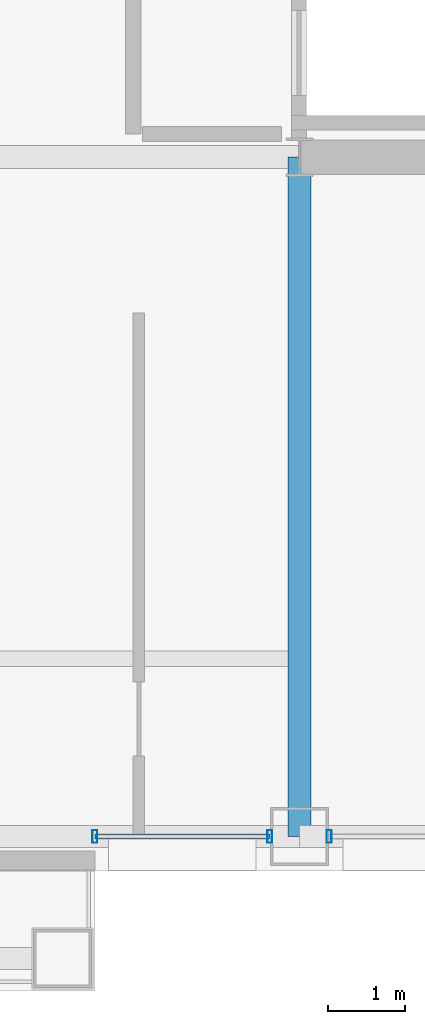
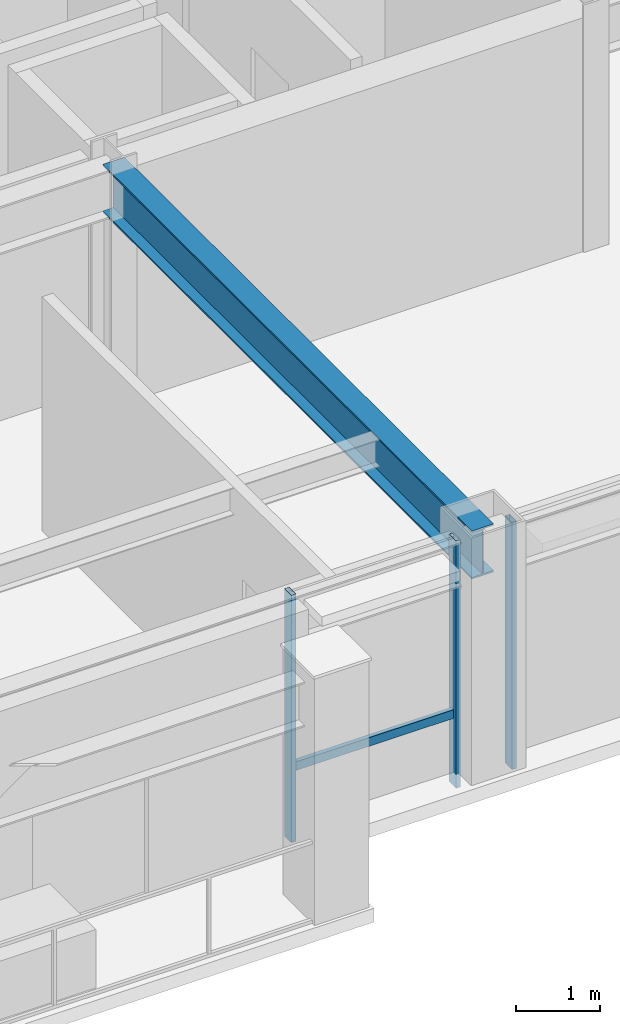
# One storey, part 7 of 27: 4 members, 1 beam, 2 elements without a shape of their own.
"""IFC4 building model written with IfcOpenShell, lengths in metres."""

from ifc_helpers import new_model, si_unit, direction, frame, origin, origin_2d, place, context, subcontext, project, spatial, hollow_rectangle, i_section, extrude, material, layer, layer_set, material_profile, profile_set, type_object, element, aggregate, save


model = new_model("IFC4")

# Units and contexts
model_context = context("Model", 3, precision=1e-05, world=origin(), true_north=direction((0.0, 1.0)))
body_context = subcontext(model_context, "Body", "Model", "MODEL_VIEW")
ifc_project = project(units=[si_unit("LENGTHUNIT", "METRE"), si_unit("AREAUNIT", "SQUARE_METRE"), si_unit("VOLUMEUNIT", "CUBIC_METRE"), si_unit("PLANEANGLEUNIT", "RADIAN"), si_unit("MASSUNIT", "GRAM", prefix="KILO")], contexts=[model_context])

# Site, building, storey
site_placement = place(None, origin())
site = spatial("IfcSite", under=ifc_project, at=site_placement, CompositionType="ELEMENT")
building_placement = place(site_placement, origin())
building = spatial("IfcBuilding", under=site, at=building_placement, Name="Brelmoor Portico Tower", CompositionType="ELEMENT")
storey_placement = place(building_placement, frame((0.0, 0.0, 158.699951171875)))
storey = spatial("IfcBuildingStorey", under=building, at=storey_placement, Name="L41", CompositionType="ELEMENT", Elevation=158.699951171875)

# Beam
ifc_material_1 = material(Name="Steel Q355B", Category="steel")
ifc_material_profile_1 = material_profile(ifc_material_1, i_section(OverallWidth=0.300048828125, OverallDepth=0.699951171875, WebThickness=0.012939453125, FlangeThickness=0.02392578125, at=origin_2d()), Name="HN 700x300x13x24")
ifc_profile_set_1 = profile_set([ifc_material_profile_1], Name="Steel Q355B")
beam_type = type_object("IfcBeamType", Name="BM-PG-700", PredefinedType="BEAM", material=ifc_profile_set_1)
beam_placement = place(storey_placement, frame((8.050048828125, -18.550048828125, 3.050048828125), z_axis=(0.0, 1.0, 0.0), x_axis=(-1.0, 0.0, 0.0)))
element("IfcBeam", 1, at=beam_placement, inside=storey, type_object=beam_type, Name="L41 Primary Floor Girder PG-06", PredefinedType="BEAM", context=body_context, shape_type="SweptSolid", body=[
    extrude(i_section(OverallWidth=0.300048828125, OverallDepth=0.699951171875, WebThickness=0.012939453125, FlangeThickness=0.02392578125, at=origin_2d()), origin(), (0.0, 0.0, 1.0), 8.800048828125),
])

# Curtain wall, members
ifc_material_2 = material(Name="Anodised Aluminium Alloy 6063-T6", Category="aluminium")
ifc_layer_1 = layer(ifc_material_2, 0.179931640625)
ifc_layer_set_1 = layer_set([ifc_layer_1], Name="Anodised Aluminium Alloy 6063-T6")
curtain_wall_type_1 = type_object("IfcCurtainWallType", Name="CW-TOWER-Z3", PredefinedType="NOTDEFINED", material=ifc_layer_set_1)
curtain_wall_1_placement = place(storey_placement, origin())
curtain_wall_1 = element("IfcCurtainWall", 2, at=curtain_wall_1_placement, inside=storey, type_object=curtain_wall_type_1, Name="L41 Curtain Wall CW-L41-1R-1", PredefinedType="NOTDEFINED")
ifc_material_profile_2 = material_profile(ifc_material_2, hollow_rectangle(XDim=0.06494140625, YDim=0.1650390625, WallThickness=0.00390625, at=origin_2d()), Name="ALU MULLION 65x165")
ifc_profile_set_2 = profile_set([ifc_material_profile_2], Name="Anodised Aluminium Alloy 6063-T6")
member_type_1 = type_object("IfcMemberType", Name="MB-CW-MULL-165", PredefinedType="MULLION", material=ifc_profile_set_2)
member_1_placement = place(storey_placement, frame((5.39990234375, -18.550048828125, -0.199951171875), z_axis=(0.0, 0.0, 1.0), x_axis=(1.0, 0.0, 0.0)))
member_1 = element("IfcMember", 3, at=member_1_placement, type_object=member_type_1, Name="CW-L41-1R-1 Mullion 00", PredefinedType="MULLION", context=body_context, shape_type="SweptSolid", body=[
    extrude(hollow_rectangle(XDim=0.06494140625, YDim=0.1650390625, WallThickness=0.00390625, at=origin_2d()), origin(), (0.0, 0.0, 1.0), 3.60009765625),
])
member_2_placement = place(storey_placement, frame((7.6650390625, -18.550048828125, -0.199951171875), z_axis=(0.0, 0.0, 1.0), x_axis=(1.0, 0.0, 0.0)))
member_2 = element("IfcMember", 4, at=member_2_placement, type_object=member_type_1, Name="CW-L41-1R-1 Mullion 01", PredefinedType="MULLION", context=body_context, shape_type="SweptSolid", body=[
    extrude(hollow_rectangle(XDim=0.06494140625, YDim=0.1650390625, WallThickness=0.00390625, at=origin_2d()), origin(), (0.0, 0.0, 1.0), 3.60009765625),
])

# Curtain wall, member
ifc_layer_2 = layer(ifc_material_2, 0.179931640625)
ifc_layer_set_2 = layer_set([ifc_layer_2], Name="Anodised Aluminium Alloy 6063-T6")
curtain_wall_type_2 = type_object("IfcCurtainWallType", Name="CW-TOWER-Z3-XB", PredefinedType="NOTDEFINED", material=ifc_layer_set_2)
curtain_wall_2_placement = place(storey_placement, origin())
curtain_wall_2 = element("IfcCurtainWall", 5, at=curtain_wall_2_placement, inside=storey, type_object=curtain_wall_type_2, Name="L41 Curtain Wall CW-L41-1R-2", PredefinedType="NOTDEFINED")
member_3_placement = place(storey_placement, frame((8.43505859375, -18.550048828125, -0.199951171875), z_axis=(0.0, 0.0, 1.0), x_axis=(1.0, 0.0, 0.0)))
member_3 = element("IfcMember", 6, at=member_3_placement, type_object=member_type_1, Name="CW-L41-1R-2 Mullion 00", PredefinedType="MULLION", context=body_context, shape_type="SweptSolid", body=[
    extrude(hollow_rectangle(XDim=0.06494140625, YDim=0.1650390625, WallThickness=0.00390625, at=origin_2d()), origin(), (0.0, 0.0, 1.0), 3.60009765625),
])
aggregate(curtain_wall_2, [member_3])

# Member
ifc_material_profile_3 = material_profile(ifc_material_2, hollow_rectangle(XDim=0.06005859375, YDim=0.125, WallThickness=0.00341796875, at=origin_2d()), Name="ALU TRANSOM 60x125")
ifc_profile_set_3 = profile_set([ifc_material_profile_3], Name="Anodised Aluminium Alloy 6063-T6")
member_type_2 = type_object("IfcMemberType", Name="MB-CW-TRAN-125", PredefinedType="USERDEFINED", material=ifc_profile_set_3)
member_4_placement = place(storey_placement, frame((5.39990234375, -18.550048828125, 0.85009765625), z_axis=(1.0, 0.0, 0.0), x_axis=(0.0, 1.0, 0.0)))
member_4 = element("IfcMember", 7, at=member_4_placement, type_object=member_type_2, Name="CW-L41-1R-1 Transom 1-00", ObjectType="TRANSOM", PredefinedType="USERDEFINED", context=body_context, shape_type="SweptSolid", body=[
    extrude(hollow_rectangle(XDim=0.06005859375, YDim=0.125, WallThickness=0.00341796875, at=origin_2d()), origin(), (0.0, 0.0, 1.0), 2.26513671875),
])

aggregate(curtain_wall_1, [member_1, member_2, member_4])

save(model, "model.ifc")
